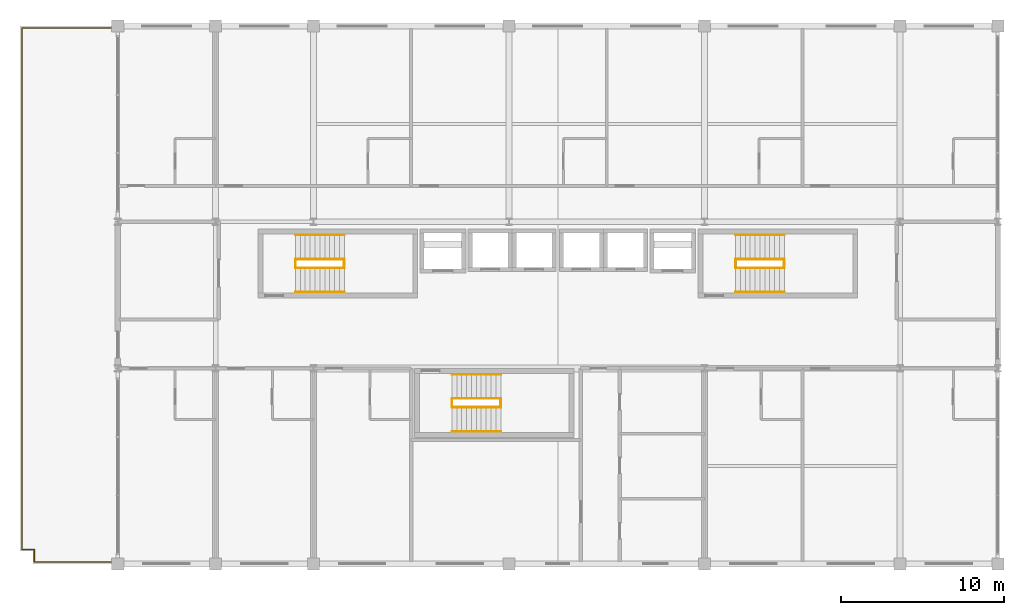
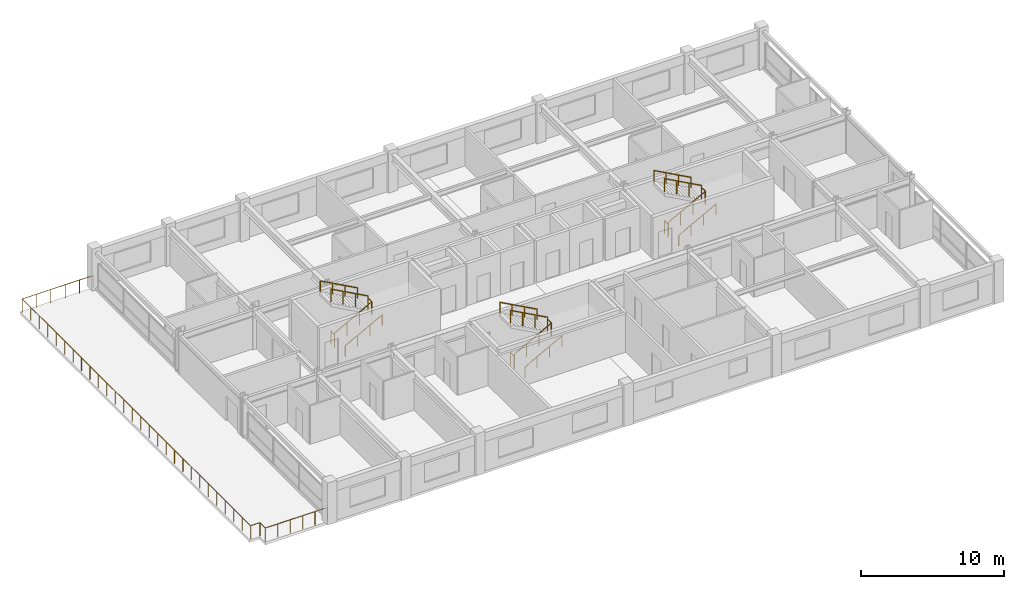
# One storey, part 21 of 21: 19 railings.
"""IFC4 building model written with IfcOpenShell, lengths in metres."""

from ifc_helpers import new_model, si_unit, direction, frame, origin, origin_2d, place, context, subcontext, project, spatial, circle, extrude, material, type_object, element, save


model = new_model("IFC4")

# Units and contexts
model_context = context("Model", 3, precision=1e-05, world=origin(), true_north=direction((0.0, 1.0)))
body_context = subcontext(model_context, "Body", "Model", "MODEL_VIEW")
ifc_project = project(units=[si_unit("LENGTHUNIT", "METRE"), si_unit("AREAUNIT", "SQUARE_METRE"), si_unit("VOLUMEUNIT", "CUBIC_METRE"), si_unit("PLANEANGLEUNIT", "RADIAN"), si_unit("MASSUNIT", "GRAM", prefix="KILO")], contexts=[model_context])

# Site, building, storey
site_placement = place(None, origin())
site = spatial("IfcSite", under=ifc_project, at=site_placement, CompositionType="ELEMENT")
building_placement = place(site_placement, origin())
building = spatial("IfcBuilding", under=site, at=building_placement, Name="Kaldorvane Square Convention Centre", CompositionType="ELEMENT")
storey_placement = place(building_placement, frame((0.0, 0.0, 49.19999694824219)))
storey = spatial("IfcBuildingStorey", under=building, at=storey_placement, Name="L11", CompositionType="ELEMENT", Elevation=49.19999694824219)

# Railings
ifc_material = material(Name="Architectural Painted Steel", Category="steel")
railing_type_1 = type_object("IfcRailingType", Name="RL-GUARD-1120", PredefinedType="BALUSTRADE", material=ifc_material)
for number, where, name in (
    (1, (40.899993896484375, 102.16999816894531, 0.0), "Tower Exit Stair T1 Floor Well Guard (L11)"),
    (2, (43.899993896484375, 102.16999816894531, 1.8000030517578125), "Tower Exit Stair T1 Half-Landing Guard (L11)"),
):
    element("IfcRailing", number, at=place(storey_placement, frame(where)), inside=storey, type_object=railing_type_1, Name=name, PredefinedType="BALUSTRADE", context=body_context, shape_type="SweptSolid", body=[
        extrude(circle(Radius=0.0240020751953125, at=origin_2d()), frame((0.0, 0.0, 1.0959930419921875), z_axis=(0.0, 1.0, 0.0), x_axis=(-1.0, 0.0, 0.0)), (0.0, 0.0, 1.0), 0.5200042724609375),
        extrude(circle(Radius=0.02099609375, at=origin_2d()), origin(), (0.0, 0.0, 1.0), 1.071990966796875),
        extrude(circle(Radius=0.02099609375, at=origin_2d()), frame((0.0, 0.5200042724609375, 0.0)), (0.0, 0.0, 1.0), 1.071990966796875),
    ])
railing_1_placement = place(storey_placement, frame((40.899993896484375, 102.16000366210938, 0.16363525390625)))
element("IfcRailing", 3, at=railing_1_placement, inside=storey, type_object=railing_type_1, Name="Tower Exit Stair T1 Flight 1 Guard (L11)", PredefinedType="BALUSTRADE", context=body_context, shape_type="SweptSolid", body=[
    extrude(circle(Radius=0.0240020751953125, at=origin_2d()), frame((0.0, 0.0, 1.0959930419921875), z_axis=(0.87789506098, 0.0, 0.478853069227), x_axis=(0.0, 1.0, 0.0)), (0.0, 0.0, 1.0), 3.417266845703125),
    extrude(circle(Radius=0.02099609375, at=origin_2d()), origin(), (0.0, 0.0, 1.0), 1.071990966796875),
    extrude(circle(Radius=0.02099609375, at=origin_2d()), frame((1.0, 0.0, 0.5454559326171875)), (0.0, 0.0, 1.0), 1.071990966796875),
    extrude(circle(Radius=0.02099609375, at=origin_2d()), frame((2.0, 0.0, 1.090911865234375)), (0.0, 0.0, 1.0), 1.071990966796875),
    extrude(circle(Radius=0.02099609375, at=origin_2d()), frame((3.0, 0.0, 1.6363677978515625)), (0.0, 0.0, 1.0), 1.071990966796875),
])
railing_2_placement = place(storey_placement, frame((43.899993896484375, 102.69999694824219, 1.9636383056640625)))
element("IfcRailing", 4, at=railing_2_placement, inside=storey, type_object=railing_type_1, Name="Tower Exit Stair T1 Flight 2 Guard (L11)", PredefinedType="BALUSTRADE", context=body_context, shape_type="SweptSolid", body=[
    extrude(circle(Radius=0.0240020751953125, at=origin_2d()), frame((0.0, 0.0, 1.0959930419921875), z_axis=(-0.87789506098, 0.0, 0.478853069227), x_axis=(0.0, -1.0, 0.0)), (0.0, 0.0, 1.0), 3.417266845703125),
    extrude(circle(Radius=0.02099609375, at=origin_2d()), origin(), (0.0, 0.0, 1.0), 1.071990966796875),
    extrude(circle(Radius=0.02099609375, at=origin_2d()), frame((-1.0, 0.0, 0.5454559326171875)), (0.0, 0.0, 1.0), 1.071990966796875),
    extrude(circle(Radius=0.02099609375, at=origin_2d()), frame((-2.0, 0.0, 1.090911865234375)), (0.0, 0.0, 1.0), 1.071990966796875),
    extrude(circle(Radius=0.02099609375, at=origin_2d()), frame((-3.0, 0.0, 1.6363677978515625)), (0.0, 0.0, 1.0), 1.071990966796875),
])
for number, where, name in (
    (5, (67.89999389648438, 102.16999816894531, 0.0), "Tower Exit Stair T2 Floor Well Guard (L11)"),
    (6, (70.89999389648438, 102.16999816894531, 1.8000030517578125), "Tower Exit Stair T2 Half-Landing Guard (L11)"),
):
    element("IfcRailing", number, at=place(storey_placement, frame(where)), inside=storey, type_object=railing_type_1, Name=name, PredefinedType="BALUSTRADE", context=body_context, shape_type="SweptSolid", body=[
        extrude(circle(Radius=0.0240020751953125, at=origin_2d()), frame((0.0, 0.0, 1.0959930419921875), z_axis=(0.0, 1.0, 0.0), x_axis=(-1.0, 0.0, 0.0)), (0.0, 0.0, 1.0), 0.5200042724609375),
        extrude(circle(Radius=0.02099609375, at=origin_2d()), origin(), (0.0, 0.0, 1.0), 1.071990966796875),
        extrude(circle(Radius=0.02099609375, at=origin_2d()), frame((0.0, 0.5200042724609375, 0.0)), (0.0, 0.0, 1.0), 1.071990966796875),
    ])
railing_3_placement = place(storey_placement, frame((67.89999389648438, 102.16000366210938, 0.16363525390625)))
element("IfcRailing", 7, at=railing_3_placement, inside=storey, type_object=railing_type_1, Name="Tower Exit Stair T2 Flight 1 Guard (L11)", PredefinedType="BALUSTRADE", context=body_context, shape_type="SweptSolid", body=[
    extrude(circle(Radius=0.0240020751953125, at=origin_2d()), frame((0.0, 0.0, 1.0959930419921875), z_axis=(0.87789506098, 0.0, 0.478853069227), x_axis=(0.0, 1.0, 0.0)), (0.0, 0.0, 1.0), 3.417266845703125),
    extrude(circle(Radius=0.02099609375, at=origin_2d()), origin(), (0.0, 0.0, 1.0), 1.071990966796875),
    extrude(circle(Radius=0.02099609375, at=origin_2d()), frame((1.0, 0.0, 0.5454559326171875)), (0.0, 0.0, 1.0), 1.071990966796875),
    extrude(circle(Radius=0.02099609375, at=origin_2d()), frame((2.0, 0.0, 1.090911865234375)), (0.0, 0.0, 1.0), 1.071990966796875),
    extrude(circle(Radius=0.02099609375, at=origin_2d()), frame((3.0, 0.0, 1.6363677978515625)), (0.0, 0.0, 1.0), 1.071990966796875),
])
railing_4_placement = place(storey_placement, frame((70.89999389648438, 102.69999694824219, 1.9636383056640625)))
element("IfcRailing", 8, at=railing_4_placement, inside=storey, type_object=railing_type_1, Name="Tower Exit Stair T2 Flight 2 Guard (L11)", PredefinedType="BALUSTRADE", context=body_context, shape_type="SweptSolid", body=[
    extrude(circle(Radius=0.0240020751953125, at=origin_2d()), frame((0.0, 0.0, 1.0959930419921875), z_axis=(-0.87789506098, 0.0, 0.478853069227), x_axis=(0.0, -1.0, 0.0)), (0.0, 0.0, 1.0), 3.417266845703125),
    extrude(circle(Radius=0.02099609375, at=origin_2d()), origin(), (0.0, 0.0, 1.0), 1.071990966796875),
    extrude(circle(Radius=0.02099609375, at=origin_2d()), frame((-1.0, 0.0, 0.5454559326171875)), (0.0, 0.0, 1.0), 1.071990966796875),
    extrude(circle(Radius=0.02099609375, at=origin_2d()), frame((-2.0, 0.0, 1.090911865234375)), (0.0, 0.0, 1.0), 1.071990966796875),
    extrude(circle(Radius=0.02099609375, at=origin_2d()), frame((-3.0, 0.0, 1.6363677978515625)), (0.0, 0.0, 1.0), 1.071990966796875),
])
for number, where, name in (
    (9, (50.5, 93.6199951171875, 0.0), "Tower Exit Stair T3 Floor Well Guard (L11)"),
    (10, (53.5, 93.6199951171875, 1.8000030517578125), "Tower Exit Stair T3 Half-Landing Guard (L11)"),
):
    element("IfcRailing", number, at=place(storey_placement, frame(where)), inside=storey, type_object=railing_type_1, Name=name, PredefinedType="BALUSTRADE", context=body_context, shape_type="SweptSolid", body=[
        extrude(circle(Radius=0.0240020751953125, at=origin_2d()), frame((0.0, 0.0, 1.0959930419921875), z_axis=(0.0, 1.0, 0.0), x_axis=(-1.0, 0.0, 0.0)), (0.0, 0.0, 1.0), 0.5200042724609375),
        extrude(circle(Radius=0.02099609375, at=origin_2d()), origin(), (0.0, 0.0, 1.0), 1.071990966796875),
        extrude(circle(Radius=0.02099609375, at=origin_2d()), frame((0.0, 0.5200042724609375, 0.0)), (0.0, 0.0, 1.0), 1.071990966796875),
    ])
railing_5_placement = place(storey_placement, frame((50.5, 93.61000061035156, 0.16363525390625)))
element("IfcRailing", 11, at=railing_5_placement, inside=storey, type_object=railing_type_1, Name="Tower Exit Stair T3 Flight 1 Guard (L11)", PredefinedType="BALUSTRADE", context=body_context, shape_type="SweptSolid", body=[
    extrude(circle(Radius=0.0240020751953125, at=origin_2d()), frame((0.0, 0.0, 1.0959930419921875), z_axis=(0.87789506098, 0.0, 0.478853069227), x_axis=(0.0, 1.0, 0.0)), (0.0, 0.0, 1.0), 3.417266845703125),
    extrude(circle(Radius=0.02099609375, at=origin_2d()), origin(), (0.0, 0.0, 1.0), 1.071990966796875),
    extrude(circle(Radius=0.02099609375, at=origin_2d()), frame((1.0, 0.0, 0.5454559326171875)), (0.0, 0.0, 1.0), 1.071990966796875),
    extrude(circle(Radius=0.02099609375, at=origin_2d()), frame((2.0, 0.0, 1.090911865234375)), (0.0, 0.0, 1.0), 1.071990966796875),
    extrude(circle(Radius=0.02099609375, at=origin_2d()), frame((3.0, 0.0, 1.6363677978515625)), (0.0, 0.0, 1.0), 1.071990966796875),
])
railing_6_placement = place(storey_placement, frame((53.5, 94.14999389648438, 1.9636383056640625)))
element("IfcRailing", 12, at=railing_6_placement, inside=storey, type_object=railing_type_1, Name="Tower Exit Stair T3 Flight 2 Guard (L11)", PredefinedType="BALUSTRADE", context=body_context, shape_type="SweptSolid", body=[
    extrude(circle(Radius=0.0240020751953125, at=origin_2d()), frame((0.0, 0.0, 1.0959930419921875), z_axis=(-0.87789506098, 0.0, 0.478853069227), x_axis=(0.0, -1.0, 0.0)), (0.0, 0.0, 1.0), 3.417266845703125),
    extrude(circle(Radius=0.02099609375, at=origin_2d()), origin(), (0.0, 0.0, 1.0), 1.071990966796875),
    extrude(circle(Radius=0.02099609375, at=origin_2d()), frame((-1.0, 0.0, 0.5454559326171875)), (0.0, 0.0, 1.0), 1.071990966796875),
    extrude(circle(Radius=0.02099609375, at=origin_2d()), frame((-2.0, 0.0, 1.090911865234375)), (0.0, 0.0, 1.0), 1.071990966796875),
    extrude(circle(Radius=0.02099609375, at=origin_2d()), frame((-3.0, 0.0, 1.6363677978515625)), (0.0, 0.0, 1.0), 1.071990966796875),
])
railing_type_2 = type_object("IfcRailingType", Name="RL-HAND-915", PredefinedType="HANDRAIL", material=ifc_material)
railing_7_placement = place(storey_placement, frame((40.899993896484375, 100.67999267578125, 0.16363525390625)))
element("IfcRailing", 13, at=railing_7_placement, inside=storey, type_object=railing_type_2, Name="Tower Exit Stair T1 Wall Handrail 1 (L11)", PredefinedType="HANDRAIL", context=body_context, shape_type="SweptSolid", body=[
    extrude(circle(Radius=0.0240020751953125, at=origin_2d()), frame((0.0, 0.0, 0.8909912109375), z_axis=(0.87789506098, 0.0, 0.478853069227), x_axis=(0.0, 1.0, 0.0)), (0.0, 0.0, 1.0), 3.417266845703125),
    extrude(circle(Radius=0.02099609375, at=origin_2d()), origin(), (0.0, 0.0, 1.0), 0.8669891357421875),
    extrude(circle(Radius=0.02099609375, at=origin_2d()), frame((1.0, 0.0, 0.5454559326171875)), (0.0, 0.0, 1.0), 0.8669891357421875),
    extrude(circle(Radius=0.02099609375, at=origin_2d()), frame((2.0, 0.0, 1.090911865234375)), (0.0, 0.0, 1.0), 0.8669891357421875),
    extrude(circle(Radius=0.02099609375, at=origin_2d()), frame((3.0, 0.0, 1.6363677978515625)), (0.0, 0.0, 1.0), 0.8669891357421875),
])
railing_8_placement = place(storey_placement, frame((43.899993896484375, 104.17999267578125, 1.9636383056640625)))
element("IfcRailing", 14, at=railing_8_placement, inside=storey, type_object=railing_type_2, Name="Tower Exit Stair T1 Wall Handrail 2 (L11)", PredefinedType="HANDRAIL", context=body_context, shape_type="SweptSolid", body=[
    extrude(circle(Radius=0.0240020751953125, at=origin_2d()), frame((0.0, 0.0, 0.8909912109375), z_axis=(-0.87789506098, 0.0, 0.478853069227), x_axis=(0.0, -1.0, 0.0)), (0.0, 0.0, 1.0), 3.417266845703125),
    extrude(circle(Radius=0.02099609375, at=origin_2d()), origin(), (0.0, 0.0, 1.0), 0.8669891357421875),
    extrude(circle(Radius=0.02099609375, at=origin_2d()), frame((-1.0, 0.0, 0.5454559326171875)), (0.0, 0.0, 1.0), 0.8669891357421875),
    extrude(circle(Radius=0.02099609375, at=origin_2d()), frame((-2.0, 0.0, 1.090911865234375)), (0.0, 0.0, 1.0), 0.8669891357421875),
    extrude(circle(Radius=0.02099609375, at=origin_2d()), frame((-3.0, 0.0, 1.6363677978515625)), (0.0, 0.0, 1.0), 0.8669891357421875),
])
railing_9_placement = place(storey_placement, frame((67.89999389648438, 100.67999267578125, 0.16363525390625)))
element("IfcRailing", 15, at=railing_9_placement, inside=storey, type_object=railing_type_2, Name="Tower Exit Stair T2 Wall Handrail 1 (L11)", PredefinedType="HANDRAIL", context=body_context, shape_type="SweptSolid", body=[
    extrude(circle(Radius=0.0240020751953125, at=origin_2d()), frame((0.0, 0.0, 0.8909912109375), z_axis=(0.87789506098, 0.0, 0.478853069227), x_axis=(0.0, 1.0, 0.0)), (0.0, 0.0, 1.0), 3.417266845703125),
    extrude(circle(Radius=0.02099609375, at=origin_2d()), origin(), (0.0, 0.0, 1.0), 0.8669891357421875),
    extrude(circle(Radius=0.02099609375, at=origin_2d()), frame((1.0, 0.0, 0.5454559326171875)), (0.0, 0.0, 1.0), 0.8669891357421875),
    extrude(circle(Radius=0.02099609375, at=origin_2d()), frame((2.0, 0.0, 1.090911865234375)), (0.0, 0.0, 1.0), 0.8669891357421875),
    extrude(circle(Radius=0.02099609375, at=origin_2d()), frame((3.0, 0.0, 1.6363677978515625)), (0.0, 0.0, 1.0), 0.8669891357421875),
])
railing_10_placement = place(storey_placement, frame((70.89999389648438, 104.17999267578125, 1.9636383056640625)))
element("IfcRailing", 16, at=railing_10_placement, inside=storey, type_object=railing_type_2, Name="Tower Exit Stair T2 Wall Handrail 2 (L11)", PredefinedType="HANDRAIL", context=body_context, shape_type="SweptSolid", body=[
    extrude(circle(Radius=0.0240020751953125, at=origin_2d()), frame((0.0, 0.0, 0.8909912109375), z_axis=(-0.87789506098, 0.0, 0.478853069227), x_axis=(0.0, -1.0, 0.0)), (0.0, 0.0, 1.0), 3.417266845703125),
    extrude(circle(Radius=0.02099609375, at=origin_2d()), origin(), (0.0, 0.0, 1.0), 0.8669891357421875),
    extrude(circle(Radius=0.02099609375, at=origin_2d()), frame((-1.0, 0.0, 0.5454559326171875)), (0.0, 0.0, 1.0), 0.8669891357421875),
    extrude(circle(Radius=0.02099609375, at=origin_2d()), frame((-2.0, 0.0, 1.090911865234375)), (0.0, 0.0, 1.0), 0.8669891357421875),
    extrude(circle(Radius=0.02099609375, at=origin_2d()), frame((-3.0, 0.0, 1.6363677978515625)), (0.0, 0.0, 1.0), 0.8669891357421875),
])
railing_11_placement = place(storey_placement, frame((50.5, 92.1300048828125, 0.16363525390625)))
element("IfcRailing", 17, at=railing_11_placement, inside=storey, type_object=railing_type_2, Name="Tower Exit Stair T3 Wall Handrail 1 (L11)", PredefinedType="HANDRAIL", context=body_context, shape_type="SweptSolid", body=[
    extrude(circle(Radius=0.0240020751953125, at=origin_2d()), frame((0.0, 0.0, 0.8909912109375), z_axis=(0.87789506098, 0.0, 0.478853069227), x_axis=(0.0, 1.0, 0.0)), (0.0, 0.0, 1.0), 3.417266845703125),
    extrude(circle(Radius=0.02099609375, at=origin_2d()), origin(), (0.0, 0.0, 1.0), 0.8669891357421875),
    extrude(circle(Radius=0.02099609375, at=origin_2d()), frame((1.0, 0.0, 0.5454559326171875)), (0.0, 0.0, 1.0), 0.8669891357421875),
    extrude(circle(Radius=0.02099609375, at=origin_2d()), frame((2.0, 0.0, 1.090911865234375)), (0.0, 0.0, 1.0), 0.8669891357421875),
    extrude(circle(Radius=0.02099609375, at=origin_2d()), frame((3.0, 0.0, 1.6363677978515625)), (0.0, 0.0, 1.0), 0.8669891357421875),
])
railing_12_placement = place(storey_placement, frame((53.5, 95.6300048828125, 1.9636383056640625)))
element("IfcRailing", 18, at=railing_12_placement, inside=storey, type_object=railing_type_2, Name="Tower Exit Stair T3 Wall Handrail 2 (L11)", PredefinedType="HANDRAIL", context=body_context, shape_type="SweptSolid", body=[
    extrude(circle(Radius=0.0240020751953125, at=origin_2d()), frame((0.0, 0.0, 0.8909912109375), z_axis=(-0.87789506098, 0.0, 0.478853069227), x_axis=(0.0, -1.0, 0.0)), (0.0, 0.0, 1.0), 3.417266845703125),
    extrude(circle(Radius=0.02099609375, at=origin_2d()), origin(), (0.0, 0.0, 1.0), 0.8669891357421875),
    extrude(circle(Radius=0.02099609375, at=origin_2d()), frame((-1.0, 0.0, 0.5454559326171875)), (0.0, 0.0, 1.0), 0.8669891357421875),
    extrude(circle(Radius=0.02099609375, at=origin_2d()), frame((-2.0, 0.0, 1.090911865234375)), (0.0, 0.0, 1.0), 0.8669891357421875),
    extrude(circle(Radius=0.02099609375, at=origin_2d()), frame((-3.0, 0.0, 1.6363677978515625)), (0.0, 0.0, 1.0), 0.8669891357421875),
])
railing_type_3 = type_object("IfcRailingType", Name="RL-TERR-1150", PredefinedType="BALUSTRADE", material=ifc_material)
railing_13_placement = place(storey_placement, frame((29.899993896484375, 116.8800048828125, 0.0)))
element("IfcRailing", 19, at=railing_13_placement, inside=storey, type_object=railing_type_3, Name="L11 West Setback Sky Terrace Guard", PredefinedType="BALUSTRADE", context=body_context, shape_type="SweptSolid", body=[
    extrude(circle(Radius=0.0240020751953125, at=origin_2d()), frame((0.0, 0.0, 1.1259918212890625), z_axis=(-1.0, 0.0, 0.0), x_axis=(0.0, -1.0, 0.0)), (0.0, 0.0, 1.0), 5.779998779296875),
    extrude(circle(Radius=0.0240020751953125, at=origin_2d()), frame((-5.779998779296875, 0.0, 1.1259918212890625), z_axis=(0.0, -1.0, 0.0), x_axis=(1.0, 0.0, 0.0)), (0.0, 0.0, 1.0), 32.0),
    extrude(circle(Radius=0.0240020751953125, at=origin_2d()), frame((-5.779998779296875, -32.0, 1.1259918212890625), z_axis=(1.0, 0.0, 0.0), x_axis=(0.0, 1.0, 0.0)), (0.0, 0.0, 1.0), 0.760009765625),
    extrude(circle(Radius=0.0240020751953125, at=origin_2d()), frame((-5.019989013671875, -32.0, 1.1259918212890625), z_axis=(0.0, -1.0, 0.0), x_axis=(1.0, 0.0, 0.0)), (0.0, 0.0, 1.0), 0.760009765625),
    extrude(circle(Radius=0.0240020751953125, at=origin_2d()), frame((-5.019989013671875, -32.760009765625, 1.1259918212890625), z_axis=(1.0, 0.0, 0.0), x_axis=(0.0, 1.0, 0.0)), (0.0, 0.0, 1.0), 5.019989013671875),
    extrude(circle(Radius=0.02099609375, at=origin_2d()), origin(), (0.0, 0.0, 1.0), 1.10198974609375),
    extrude(circle(Radius=0.02099609375, at=origin_2d()), frame((-1.156005859375, 0.0, 0.0)), (0.0, 0.0, 1.0), 1.10198974609375),
    extrude(circle(Radius=0.02099609375, at=origin_2d()), frame((-2.3119964599609375, 0.0, 0.0)), (0.0, 0.0, 1.0), 1.10198974609375),
    extrude(circle(Radius=0.02099609375, at=origin_2d()), frame((-3.4680023193359375, 0.0, 0.0)), (0.0, 0.0, 1.0), 1.10198974609375),
    extrude(circle(Radius=0.02099609375, at=origin_2d()), frame((-4.623992919921875, 0.0, 0.0)), (0.0, 0.0, 1.0), 1.10198974609375),
    extrude(circle(Radius=0.02099609375, at=origin_2d()), frame((-5.779998779296875, 0.0, 0.0)), (0.0, 0.0, 1.0), 1.10198974609375),
    extrude(circle(Radius=0.02099609375, at=origin_2d()), frame((-5.779998779296875, -1.1851806640625, 0.0)), (0.0, 0.0, 1.0), 1.10198974609375),
    extrude(circle(Radius=0.02099609375, at=origin_2d()), frame((-5.779998779296875, -2.3703765869140625, 0.0)), (0.0, 0.0, 1.0), 1.10198974609375),
    extrude(circle(Radius=0.02099609375, at=origin_2d()), frame((-5.779998779296875, -3.5555572509765625, 0.0)), (0.0, 0.0, 1.0), 1.10198974609375),
    extrude(circle(Radius=0.02099609375, at=origin_2d()), frame((-5.779998779296875, -4.7407379150390625, 0.0)), (0.0, 0.0, 1.0), 1.10198974609375),
    extrude(circle(Radius=0.02099609375, at=origin_2d()), frame((-5.779998779296875, -5.9259185791015625, 0.0)), (0.0, 0.0, 1.0), 1.10198974609375),
    extrude(circle(Radius=0.02099609375, at=origin_2d()), frame((-5.779998779296875, -7.111114501953125, 0.0)), (0.0, 0.0, 1.0), 1.10198974609375),
    extrude(circle(Radius=0.02099609375, at=origin_2d()), frame((-5.779998779296875, -8.296295166015625, 0.0)), (0.0, 0.0, 1.0), 1.10198974609375),
    extrude(circle(Radius=0.02099609375, at=origin_2d()), frame((-5.779998779296875, -9.481475830078125, 0.0)), (0.0, 0.0, 1.0), 1.10198974609375),
    extrude(circle(Radius=0.02099609375, at=origin_2d()), frame((-5.779998779296875, -10.666671752929688, 0.0)), (0.0, 0.0, 1.0), 1.10198974609375),
    extrude(circle(Radius=0.02099609375, at=origin_2d()), frame((-5.779998779296875, -11.851852416992188, 0.0)), (0.0, 0.0, 1.0), 1.10198974609375),
    extrude(circle(Radius=0.02099609375, at=origin_2d()), frame((-5.779998779296875, -13.037033081054688, 0.0)), (0.0, 0.0, 1.0), 1.10198974609375),
    extrude(circle(Radius=0.02099609375, at=origin_2d()), frame((-5.779998779296875, -14.22222900390625, 0.0)), (0.0, 0.0, 1.0), 1.10198974609375),
    extrude(circle(Radius=0.02099609375, at=origin_2d()), frame((-5.779998779296875, -15.40740966796875, 0.0)), (0.0, 0.0, 1.0), 1.10198974609375),
    extrude(circle(Radius=0.02099609375, at=origin_2d()), frame((-5.779998779296875, -16.59259033203125, 0.0)), (0.0, 0.0, 1.0), 1.10198974609375),
    extrude(circle(Radius=0.02099609375, at=origin_2d()), frame((-5.779998779296875, -17.77777099609375, 0.0)), (0.0, 0.0, 1.0), 1.10198974609375),
    extrude(circle(Radius=0.02099609375, at=origin_2d()), frame((-5.779998779296875, -18.962966918945312, 0.0)), (0.0, 0.0, 1.0), 1.10198974609375),
    extrude(circle(Radius=0.02099609375, at=origin_2d()), frame((-5.779998779296875, -20.148147583007812, 0.0)), (0.0, 0.0, 1.0), 1.10198974609375),
    extrude(circle(Radius=0.02099609375, at=origin_2d()), frame((-5.779998779296875, -21.333328247070312, 0.0)), (0.0, 0.0, 1.0), 1.10198974609375),
    extrude(circle(Radius=0.02099609375, at=origin_2d()), frame((-5.779998779296875, -22.518524169921875, 0.0)), (0.0, 0.0, 1.0), 1.10198974609375),
    extrude(circle(Radius=0.02099609375, at=origin_2d()), frame((-5.779998779296875, -23.703704833984375, 0.0)), (0.0, 0.0, 1.0), 1.10198974609375),
    extrude(circle(Radius=0.02099609375, at=origin_2d()), frame((-5.779998779296875, -24.888885498046875, 0.0)), (0.0, 0.0, 1.0), 1.10198974609375),
    extrude(circle(Radius=0.02099609375, at=origin_2d()), frame((-5.779998779296875, -26.074081420898438, 0.0)), (0.0, 0.0, 1.0), 1.10198974609375),
    extrude(circle(Radius=0.02099609375, at=origin_2d()), frame((-5.779998779296875, -27.259262084960938, 0.0)), (0.0, 0.0, 1.0), 1.10198974609375),
    extrude(circle(Radius=0.02099609375, at=origin_2d()), frame((-5.779998779296875, -28.444442749023438, 0.0)), (0.0, 0.0, 1.0), 1.10198974609375),
    extrude(circle(Radius=0.02099609375, at=origin_2d()), frame((-5.779998779296875, -29.629623413085938, 0.0)), (0.0, 0.0, 1.0), 1.10198974609375),
    extrude(circle(Radius=0.02099609375, at=origin_2d()), frame((-5.779998779296875, -30.8148193359375, 0.0)), (0.0, 0.0, 1.0), 1.10198974609375),
    extrude(circle(Radius=0.02099609375, at=origin_2d()), frame((-5.779998779296875, -32.0, 0.0)), (0.0, 0.0, 1.0), 1.10198974609375),
    extrude(circle(Radius=0.02099609375, at=origin_2d()), frame((-5.019989013671875, -32.0, 0.0)), (0.0, 0.0, 1.0), 1.10198974609375),
    extrude(circle(Radius=0.02099609375, at=origin_2d()), frame((-5.019989013671875, -32.760009765625, 0.0)), (0.0, 0.0, 1.0), 1.10198974609375),
    extrude(circle(Radius=0.02099609375, at=origin_2d()), frame((-4.0159912109375, -32.760009765625, 0.0)), (0.0, 0.0, 1.0), 1.10198974609375),
    extrude(circle(Radius=0.02099609375, at=origin_2d()), frame((-3.011993408203125, -32.760009765625, 0.0)), (0.0, 0.0, 1.0), 1.10198974609375),
    extrude(circle(Radius=0.02099609375, at=origin_2d()), frame((-2.00799560546875, -32.760009765625, 0.0)), (0.0, 0.0, 1.0), 1.10198974609375),
    extrude(circle(Radius=0.02099609375, at=origin_2d()), frame((-1.003997802734375, -32.760009765625, 0.0)), (0.0, 0.0, 1.0), 1.10198974609375),
    extrude(circle(Radius=0.02099609375, at=origin_2d()), frame((0.0, -32.760009765625, 0.0)), (0.0, 0.0, 1.0), 1.10198974609375),
])

save(model, "model.ifc")
